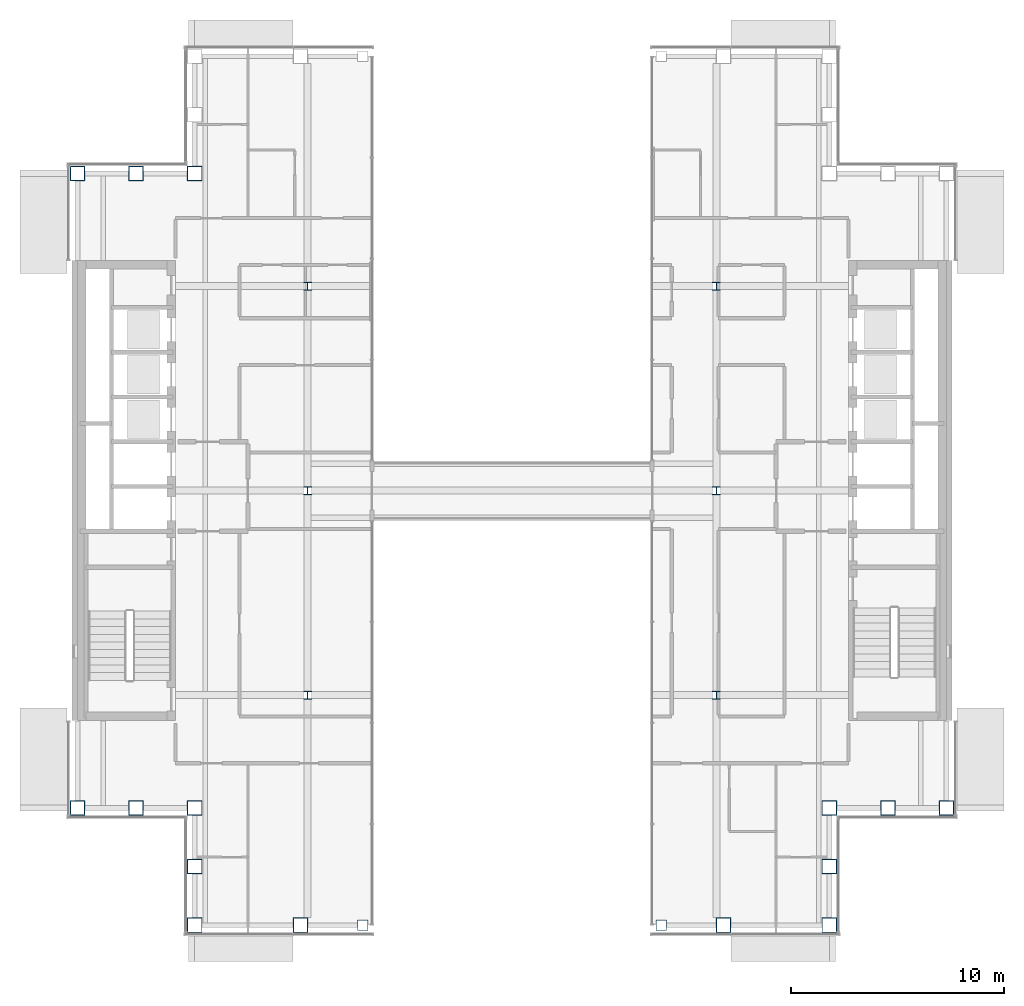
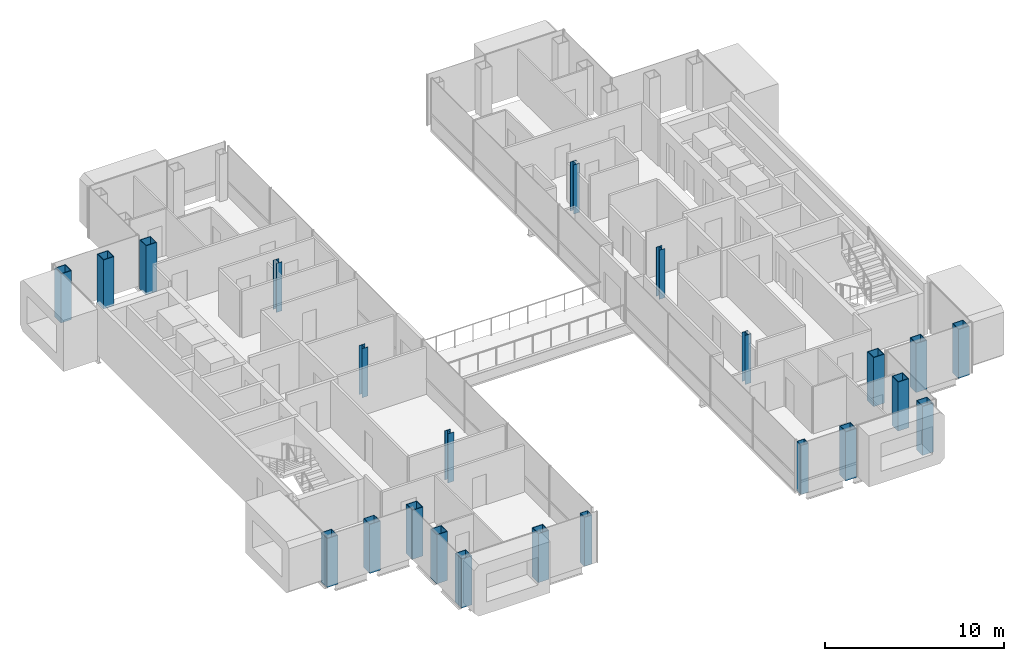
# One storey, part 1 of 17: 23 columns.
"""IFC4 building model written with IfcOpenShell, lengths in metres."""

from ifc_helpers import new_model, si_unit, direction, frame, origin, origin_2d, place, context, subcontext, project, spatial, hollow_rectangle, i_section, extrude, material, material_profile, profile_set, type_object, element, save


model = new_model("IFC4")

# Units and contexts
model_context = context("Model", 3, precision=1e-05, world=origin(), true_north=direction((0.0, 1.0)))
body_context = subcontext(model_context, "Body", "Model", "MODEL_VIEW")
ifc_project = project(units=[si_unit("LENGTHUNIT", "METRE"), si_unit("AREAUNIT", "SQUARE_METRE"), si_unit("VOLUMEUNIT", "CUBIC_METRE"), si_unit("PLANEANGLEUNIT", "RADIAN"), si_unit("MASSUNIT", "GRAM", prefix="KILO")], contexts=[model_context])

# Site, building, storey
site_placement = place(None, origin())
site = spatial("IfcSite", under=ifc_project, at=site_placement, CompositionType="ELEMENT")
building_placement = place(site_placement, origin())
building = spatial("IfcBuilding", under=site, at=building_placement, Name="Cobrizo Arcos Hotel Tower", CompositionType="ELEMENT")
storey_placement = place(building_placement, frame((0.0, 0.0, 233.0)))
storey = spatial("IfcBuildingStorey", under=building, at=storey_placement, Name="L61", CompositionType="ELEMENT", Elevation=233.0)

# Columns
ifc_material_1 = material(Name="Steel ASTM A572 Grade 50", Category="steel")
ifc_material_profile_1 = material_profile(ifc_material_1, hollow_rectangle(XDim=0.5, YDim=0.5, WallThickness=0.030029296875, at=origin_2d()), Name="BOX 500X500X30")
ifc_profile_set_1 = profile_set([ifc_material_profile_1], Name="Steel ASTM A572 Grade 50")
column_type_1 = type_object("IfcColumnType", Name="BOX 500X500X30 column", PredefinedType="COLUMN", material=ifc_profile_set_1)
for number, where, z_axis, x_axis, name in (
    (1, (-7.0, -20.39990234375, -0.14990234375), (0.0, 0.0, 1.0), (1.0, 0.0, 0.0), "Perimeter column C11, L61, no. 25"),
    (2, (7.0, -20.39990234375, -0.14990234375), (0.0, 0.0, 1.0), (1.0, 0.0, 0.0), "Perimeter column C11, L61, no. 27"),
):
    element("IfcColumn", number, at=place(storey_placement, frame(where, z_axis=z_axis, x_axis=x_axis)), inside=storey, type_object=column_type_1, Name=name, PredefinedType="COLUMN", context=body_context, shape_type="SweptSolid", body=[
        extrude(hollow_rectangle(XDim=0.5, YDim=0.5, WallThickness=0.030029296875, at=origin_2d()), origin(), (0.0, 0.0, 1.0), 3.349853515625),
    ])
ifc_material_profile_2 = material_profile(ifc_material_1, hollow_rectangle(XDim=0.699951171875, YDim=0.699951171875, WallThickness=0.0400390625, at=origin_2d()), Name="BOX 700X700X40")
ifc_profile_set_2 = profile_set([ifc_material_profile_2], Name="Steel ASTM A572 Grade 50")
column_type_2 = type_object("IfcColumnType", Name="BOX 700X700X40 column", PredefinedType="COLUMN", material=ifc_profile_set_2)
for number, where, z_axis, x_axis, name in (
    (3, (-14.89990234375, -20.39990234375, -0.14990234375), (0.0, 0.0, 1.0), (1.0, 0.0, 0.0), "Perimeter column C10, L61, no. 01"),
    (4, (-9.93310546875, -20.39990234375, -0.14990234375), (0.0, 0.0, 1.0), (1.0, 0.0, 0.0), "Perimeter column C10, L61, no. 03"),
    (5, (9.93310546875, -20.39990234375, -0.14990234375), (0.0, 0.0, 1.0), (1.0, 0.0, 0.0), "Perimeter column C10, L61, no. 05"),
    (6, (14.89990234375, -20.39990234375, -0.14990234375), (0.0, 0.0, 1.0), (1.0, 0.0, 0.0), "Perimeter column C10, L61, no. 07"),
    (7, (20.39990234375, -14.89990234375, -0.14990234375), (0.0, 0.0, 1.0), (1.0, 0.0, 0.0), "Perimeter column C10, L61, no. 08"),
    (8, (-20.39990234375, -14.89990234375, -0.14990234375), (0.0, 0.0, 1.0), (1.0, 0.0, 0.0), "Perimeter column C10, L61, no. 09"),
    (9, (-20.39990234375, 14.89990234375, -0.14990234375), (0.0, 0.0, 1.0), (1.0, 0.0, 0.0), "Perimeter column C10, L61, no. 11"),
    (10, (-14.89990234375, -14.89990234375, -0.14990234375), (0.0, 0.0, 1.0), (1.0, 0.0, 0.0), "Perimeter column C10, L61, no. 12"),
    (11, (-14.89990234375, -17.64990234375, -0.14990234375), (0.0, 0.0, 1.0), (1.0, 0.0, 0.0), "Perimeter column C10, L61, no. 13"),
    (12, (-17.64990234375, -14.89990234375, -0.14990234375), (0.0, 0.0, 1.0), (1.0, 0.0, 0.0), "Perimeter column C10, L61, no. 14"),
    (13, (-14.89990234375, 14.89990234375, -0.14990234375), (0.0, 0.0, 1.0), (1.0, 0.0, 0.0), "Perimeter column C10, L61, no. 15"),
    (14, (-17.64990234375, 14.89990234375, -0.14990234375), (0.0, 0.0, 1.0), (1.0, 0.0, 0.0), "Perimeter column C10, L61, no. 17"),
    (15, (14.89990234375, -14.89990234375, -0.14990234375), (0.0, 0.0, 1.0), (1.0, 0.0, 0.0), "Perimeter column C10, L61, no. 18"),
    (16, (14.89990234375, -17.64990234375, -0.14990234375), (0.0, 0.0, 1.0), (1.0, 0.0, 0.0), "Perimeter column C10, L61, no. 19"),
    (17, (17.64990234375, -14.89990234375, -0.14990234375), (0.0, 0.0, 1.0), (1.0, 0.0, 0.0), "Perimeter column C10, L61, no. 20"),
):
    element("IfcColumn", number, at=place(storey_placement, frame(where, z_axis=z_axis, x_axis=x_axis)), inside=storey, type_object=column_type_2, Name=name, PredefinedType="COLUMN", context=body_context, shape_type="SweptSolid", body=[
        extrude(hollow_rectangle(XDim=0.699951171875, YDim=0.699951171875, WallThickness=0.0400390625, at=origin_2d()), origin(), (0.0, 0.0, 1.0), 3.349853515625),
    ])
ifc_material_2 = material(Name="Steel ASTM A992 Grade 50", Category="steel")
ifc_material_profile_3 = material_profile(ifc_material_2, i_section(OverallWidth=0.373291015625, OverallDepth=0.373291015625, WebThickness=0.016357421875, FlangeThickness=0.026123046875, at=origin_2d()), Name="W14X132")
ifc_profile_set_3 = profile_set([ifc_material_profile_3], Name="Steel ASTM A992 Grade 50")
column_type_3 = type_object("IfcColumnType", Name="W14X132 interior column", PredefinedType="COLUMN", material=ifc_profile_set_3)
for number, where, z_axis, x_axis, name in (
    (18, (-9.60009765625, -9.60009765625, -0.14990234375), (0.0, 0.0, 1.0), (1.0, 0.0, 0.0), "Interior column C9, L61, no. 00"),
    (19, (-9.60009765625, 0.0, -0.14990234375), (0.0, 0.0, 1.0), (1.0, 0.0, 0.0), "Interior column C9, L61, no. 01"),
    (20, (-9.60009765625, 9.60009765625, -0.14990234375), (0.0, 0.0, 1.0), (1.0, 0.0, 0.0), "Interior column C9, L61, no. 02"),
    (21, (9.60009765625, -9.60009765625, -0.14990234375), (0.0, 0.0, 1.0), (1.0, 0.0, 0.0), "Interior column C9, L61, no. 03"),
    (22, (9.60009765625, 0.0, -0.14990234375), (0.0, 0.0, 1.0), (1.0, 0.0, 0.0), "Interior column C9, L61, no. 04"),
    (23, (9.60009765625, 9.60009765625, -0.14990234375), (0.0, 0.0, 1.0), (1.0, 0.0, 0.0), "Interior column C9, L61, no. 05"),
):
    element("IfcColumn", number, at=place(storey_placement, frame(where, z_axis=z_axis, x_axis=x_axis)), inside=storey, type_object=column_type_3, Name=name, PredefinedType="COLUMN", context=body_context, shape_type="SweptSolid", body=[
        extrude(i_section(OverallWidth=0.373291015625, OverallDepth=0.373291015625, WebThickness=0.016357421875, FlangeThickness=0.026123046875, at=origin_2d()), origin(), (0.0, 0.0, 1.0), 3.349853515625),
    ])

save(model, "model.ifc")
